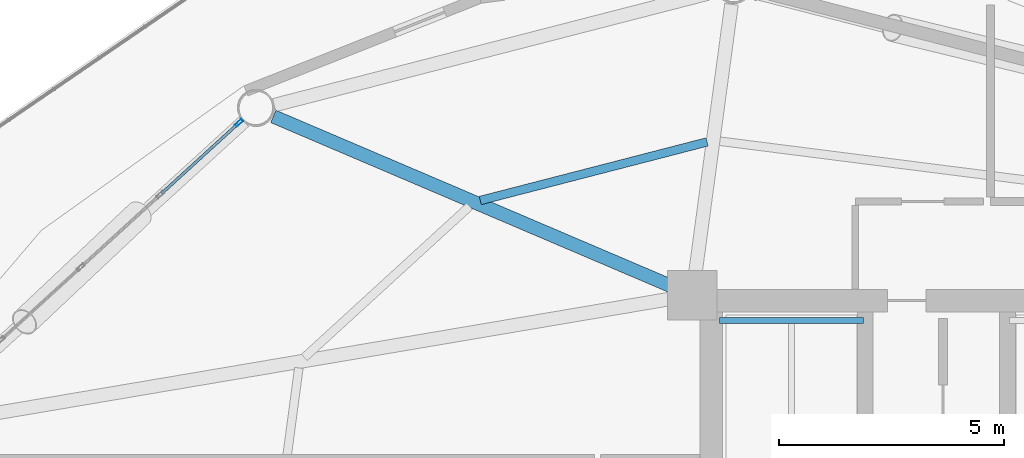
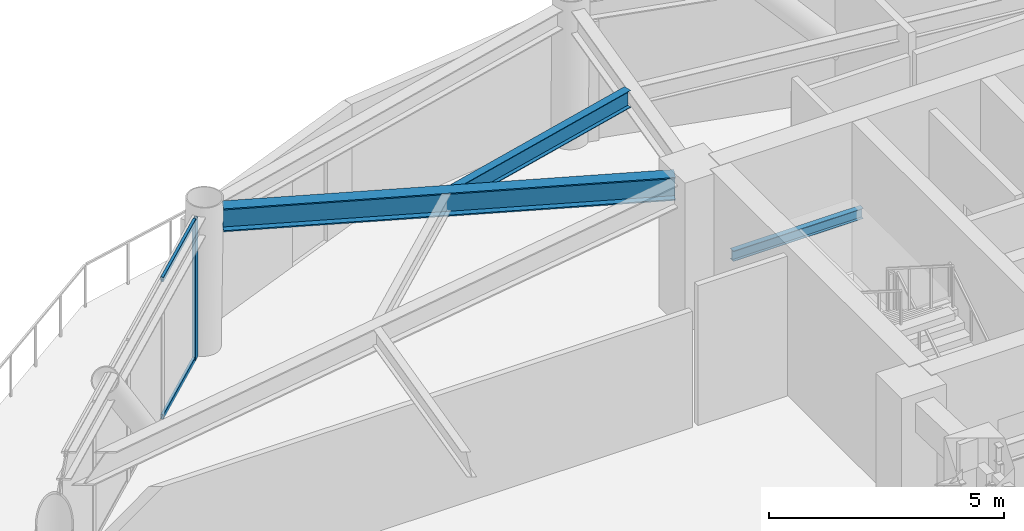
# One storey, part 15 of 23: 3 beams, 3 members, 1 element without a shape of its own.
"""IFC4 building model written with IfcOpenShell, lengths in metres."""

from ifc_helpers import new_model, si_unit, direction, frame, origin, origin_2d, place, context, subcontext, project, spatial, hollow_rectangle, i_section, extrude, material, layer, layer_set, material_profile, profile_set, type_object, element, aggregate, save


model = new_model("IFC4")

# Units and contexts
model_context = context("Model", 3, precision=1e-05, world=origin(), true_north=direction((0.0, 1.0)))
body_context = subcontext(model_context, "Body", "Model", "MODEL_VIEW")
ifc_project = project(units=[si_unit("LENGTHUNIT", "METRE"), si_unit("AREAUNIT", "SQUARE_METRE"), si_unit("VOLUMEUNIT", "CUBIC_METRE"), si_unit("PLANEANGLEUNIT", "RADIAN"), si_unit("MASSUNIT", "GRAM", prefix="KILO")], contexts=[model_context])

# Site, building, storey
site_placement = place(None, origin())
site = spatial("IfcSite", under=ifc_project, at=site_placement, CompositionType="ELEMENT")
building_placement = place(site_placement, origin())
building = spatial("IfcBuilding", under=site, at=building_placement, Name="Varnakorn Sky Granary", CompositionType="ELEMENT")
storey_placement = place(building_placement, frame((0.0, 0.0, 114.89990234375)))
storey = spatial("IfcBuildingStorey", under=building, at=storey_placement, Name="L28", CompositionType="ELEMENT", Elevation=114.89990234375)

# Beams
ifc_material_1 = material(Name="Steel S355JR", Category="steel")
ifc_material_profile_1 = material_profile(ifc_material_1, i_section(OverallWidth=0.135009765625, OverallDepth=0.27001953125, WebThickness=0.006591796875, FlangeThickness=0.01025390625, at=origin_2d()), Name="IPE 270")
ifc_profile_set_1 = profile_set([ifc_material_profile_1], Name="Steel S355JR")
beam_type_1 = type_object("IfcBeamType", Name="BM-LND-270", PredefinedType="BEAM", material=ifc_profile_set_1)
beam_1_placement = place(storey_placement, frame((-1.820068359375, 12.06005859375, 1.614990234375), z_axis=(1.0, 0.0, 0.0), x_axis=(0.0, 1.0, 0.0)))
element("IfcBeam", 1, at=beam_1_placement, inside=storey, type_object=beam_type_1, Name="Stair ST-1 Landing Trimmer Beam B L28-1", PredefinedType="BEAM", context=body_context, shape_type="SweptSolid", body=[
    extrude(i_section(OverallWidth=0.135009765625, OverallDepth=0.27001953125, WebThickness=0.006591796875, FlangeThickness=0.01025390625, at=origin_2d()), origin(), (0.0, 0.0, 1.0), 3.199951171875),
])
ifc_material_profile_2 = material_profile(ifc_material_1, i_section(OverallWidth=0.300048828125, OverallDepth=0.60009765625, WebThickness=0.015380859375, FlangeThickness=0.030029296875, at=origin_2d()), Name="HE 600 B")
ifc_profile_set_2 = profile_set([ifc_material_profile_2], Name="Steel S355JR")
beam_type_2 = type_object("IfcBeamType", Name="BM-RAD-Z2", PredefinedType="BEAM", material=ifc_profile_set_2)
beam_2_placement = place(storey_placement, frame((-2.806396484375, 12.78466796875, 3.340087890625), z_axis=(-0.919867158623, 0.392230047913, 0.0), x_axis=(-0.392230047913, -0.919867158623, 0.0)))
element("IfcBeam", 2, at=beam_2_placement, inside=storey, type_object=beam_type_2, Name="Radial Floor Girder RG05 L28", PredefinedType="BEAM", context=body_context, shape_type="SweptSolid", body=[
    extrude(i_section(OverallWidth=0.300048828125, OverallDepth=0.60009765625, WebThickness=0.015380859375, FlangeThickness=0.030029296875, at=origin_2d()), origin(), (0.0, 0.0, 1.0), 9.701904296875),
])
ifc_material_profile_3 = material_profile(ifc_material_1, i_section(OverallWidth=0.18994140625, OverallDepth=0.449951171875, WebThickness=0.009521484375, FlangeThickness=0.0146484375, at=origin_2d()), Name="IPE 450")
ifc_profile_set_3 = profile_set([ifc_material_profile_3], Name="Steel S355JR")
beam_type_3 = type_object("IfcBeamType", Name="BM-SEC-Z2", PredefinedType="BEAM", material=ifc_profile_set_3)
beam_3_placement = place(storey_placement, frame((-2.09375, 16.023681640625, 3.4150390625), z_axis=(-0.968239969091, -0.250022723475, 0.0), x_axis=(0.250022723475, -0.968239969091, 0.0)))
element("IfcBeam", 3, at=beam_3_placement, inside=storey, type_object=beam_type_3, Name="Secondary Floor Chord Beam MSB04 L28", PredefinedType="BEAM", context=body_context, shape_type="SweptSolid", body=[
    extrude(i_section(OverallWidth=0.18994140625, OverallDepth=0.449951171875, WebThickness=0.009521484375, FlangeThickness=0.0146484375, at=origin_2d()), origin(), (0.0, 0.0, 1.0), 5.20458984375),
])

# Curtain wall, members
ifc_material_2 = material(Name="Anodised Bronze Aluminium Alloy 6063-T6", Category="aluminium")
ifc_layer = layer(ifc_material_2, 0.179931640625, Name="Anodised Bronze Aluminium Alloy 6063-T6")
ifc_layer_set = layer_set([ifc_layer], Name="Anodised Bronze Aluminium Alloy 6063-T6")
curtain_wall_type = type_object("IfcCurtainWallType", Name="CW-FRM-2", PredefinedType="USERDEFINED", material=ifc_layer_set)
curtain_wall_placement = place(storey_placement, origin())
curtain_wall = element("IfcCurtainWall", 4, at=curtain_wall_placement, inside=storey, type_object=curtain_wall_type, Name="Unitised Curtain Wall CW4 CW-L28-B05", ObjectType="CURTAIN WALL", PredefinedType="USERDEFINED")
ifc_material_profile_4 = material_profile(ifc_material_2, hollow_rectangle(XDim=0.070068359375, YDim=0.18505859375, WallThickness=0.00390625, at=origin_2d()), Name="ALU MULL 70x185")
ifc_profile_set_4 = profile_set([ifc_material_profile_4], Name="Anodised Bronze Aluminium Alloy 6063-T6")
member_type_1 = type_object("IfcMemberType", Name="CW-FRM-2-MULL", PredefinedType="MULLION", material=ifc_profile_set_4)
member_1_placement = place(storey_placement, frame((-12.49462890625, 16.447265625, 0.0), z_axis=(0.0, 0.0, 1.0), x_axis=(-0.673924759752, 0.738799985242, 0.0)))
member_1 = element("IfcMember", 5, at=member_1_placement, type_object=member_type_1, Name="CW4 mullion 5", PredefinedType="MULLION", context=body_context, shape_type="SweptSolid", body=[
    extrude(hollow_rectangle(XDim=0.070068359375, YDim=0.18505859375, WallThickness=0.00390625, at=origin_2d()), origin(), (0.0, 0.0, 1.0), 3.64013671875),
])
ifc_material_profile_5 = material_profile(ifc_material_2, hollow_rectangle(XDim=0.06494140625, YDim=0.1201171875, WallThickness=0.00341796875, at=origin_2d()), Name="ALU TRAN 65x120")
ifc_profile_set_5 = profile_set([ifc_material_profile_5], Name="Anodised Bronze Aluminium Alloy 6063-T6")
member_type_2 = type_object("IfcMemberType", Name="CW-FRM-2-TRAN", PredefinedType="USERDEFINED", material=ifc_profile_set_5)
member_2_placement = place(storey_placement, frame((-14.21484375, 14.878173828125, 0.03271484375), z_axis=(0.738778112969, 0.673948736773, 0.0), x_axis=(-0.673948736773, 0.738778112969, 0.0)))
member_2 = element("IfcMember", 6, at=member_2_placement, type_object=member_type_2, Name="CW4 transom 4.1", ObjectType="TRANSOM", PredefinedType="USERDEFINED", context=body_context, shape_type="SweptSolid", body=[
    extrude(hollow_rectangle(XDim=0.06494140625, YDim=0.1201171875, WallThickness=0.00341796875, at=origin_2d()), origin(), (0.0, 0.0, 1.0), 2.29345703125),
])
member_3_placement = place(storey_placement, frame((-14.21484375, 14.878173828125, 3.607666015625), z_axis=(0.738778112969, 0.673948736773, 0.0), x_axis=(-0.673948736773, 0.738778112969, 0.0)))
member_3 = element("IfcMember", 7, at=member_3_placement, type_object=member_type_2, Name="CW4 transom 4.2", ObjectType="TRANSOM", PredefinedType="USERDEFINED", context=body_context, shape_type="SweptSolid", body=[
    extrude(hollow_rectangle(XDim=0.06494140625, YDim=0.1201171875, WallThickness=0.00341796875, at=origin_2d()), origin(), (0.0, 0.0, 1.0), 2.29345703125),
])
aggregate(curtain_wall, [member_1, member_2, member_3])

save(model, "model.ifc")
